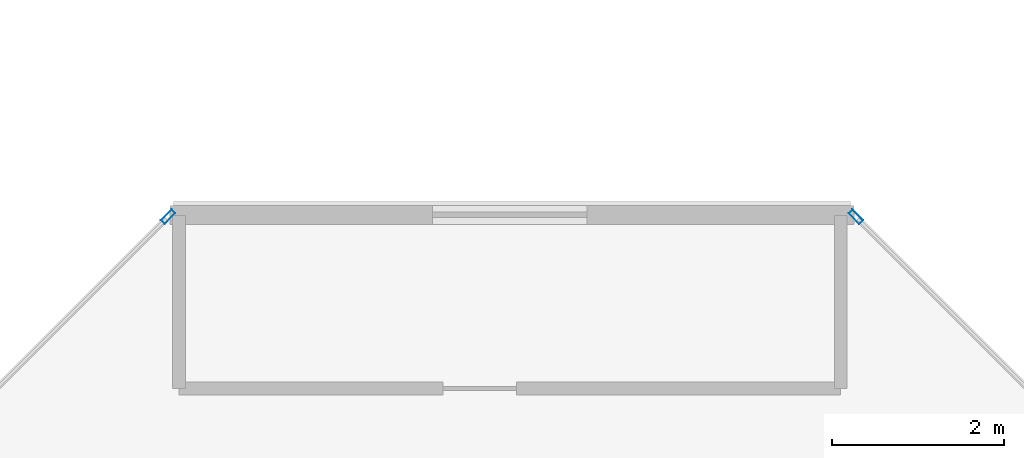
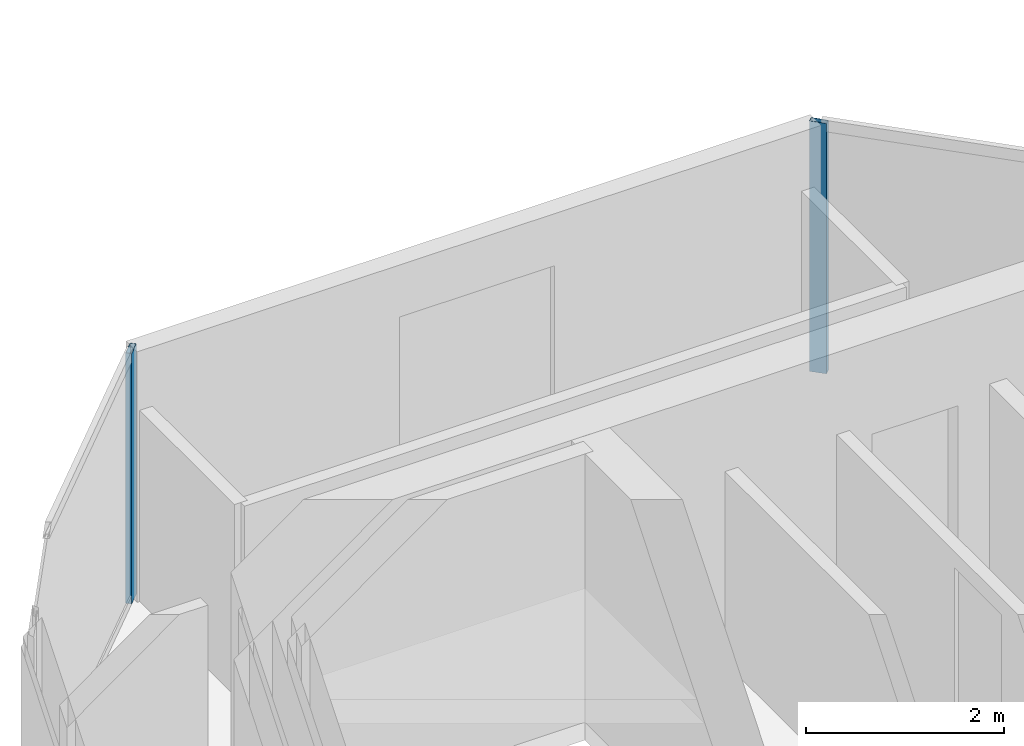
# One storey, part 12 of 29: 2 members, 2 elements without a shape of their own.
"""IFC4 building model written with IfcOpenShell, lengths in metres."""

from ifc_helpers import new_model, si_unit, direction, frame, origin, origin_2d, place, context, subcontext, project, spatial, hollow_rectangle, extrude, material, layer, layer_set, material_profile, profile_set, type_object, element, aggregate, save


model = new_model("IFC4")

# Units and contexts
model_context = context("Model", 3, precision=1e-05, world=origin(), true_north=direction((0.0, 1.0)))
body_context = subcontext(model_context, "Body", "Model", "MODEL_VIEW")
ifc_project = project(units=[si_unit("LENGTHUNIT", "METRE"), si_unit("AREAUNIT", "SQUARE_METRE"), si_unit("VOLUMEUNIT", "CUBIC_METRE"), si_unit("PLANEANGLEUNIT", "RADIAN"), si_unit("MASSUNIT", "GRAM", prefix="KILO")], contexts=[model_context])

# Site, building, storey
site_placement = place(None, origin())
site = spatial("IfcSite", under=ifc_project, at=site_placement, CompositionType="ELEMENT")
building_placement = place(site_placement, origin())
building = spatial("IfcBuilding", under=site, at=building_placement, Name="Tanjung Sevakor Pilgrim Tower", CompositionType="ELEMENT")
storey_placement = place(building_placement, frame((0.0, 0.0, 235.949951171875)))
storey = spatial("IfcBuildingStorey", under=building, at=storey_placement, Name="L66", CompositionType="ELEMENT", Elevation=235.949951171875)

# Curtain wall, member
ifc_material_1 = material(Name="Aluminium 6063-T6 and Low-E Glass", Category="aluminium")
ifc_layer = layer(ifc_material_1, 0.179931640625)
ifc_layer_set = layer_set([ifc_layer], Name="CW-SYS-CHAM")
curtain_wall_type = type_object("IfcCurtainWallType", Name="CW-SYS-CHAM", PredefinedType="NOTDEFINED", material=ifc_layer_set)
curtain_wall_1_placement = place(storey_placement, origin())
curtain_wall_1 = element("IfcCurtainWall", 1, at=curtain_wall_1_placement, inside=storey, type_object=curtain_wall_type, Name="L66 Curtain Wall CW-CHM-L66-WEST-3", PredefinedType="NOTDEFINED")
ifc_material_2 = material(Name="Aluminium 6063-T6", Category="aluminium")
ifc_material_profile = material_profile(ifc_material_2, hollow_rectangle(XDim=0.06494140625, YDim=0.179931640625, WallThickness=0.00390625, at=origin_2d()))
ifc_profile_set = profile_set([ifc_material_profile], Name="Aluminium 6063-T6")
member_type = type_object("IfcMemberType", Name="TYPE-CWM-1", PredefinedType="MULLION", material=ifc_profile_set)
member_1_placement = place(storey_placement, frame((32.827392578125, 46.26708984375, 0.0), z_axis=(0.0, 0.0, 1.0), x_axis=(-0.707106781187, -0.707106781187, 0.0)))
member_1 = element("IfcMember", 2, at=member_1_placement, type_object=member_type, Name="CW-CHM mullion 2", PredefinedType="MULLION", context=body_context, shape_type="SweptSolid", body=[
    extrude(hollow_rectangle(XDim=0.06494140625, YDim=0.179931640625, WallThickness=0.00390625, at=origin_2d()), origin(), (0.0, 0.0, 1.0), 3.080078125),
])
aggregate(curtain_wall_1, [member_1])

curtain_wall_2_placement = place(storey_placement, origin())
curtain_wall_2 = element("IfcCurtainWall", 3, at=curtain_wall_2_placement, inside=storey, type_object=curtain_wall_type, Name="L66 Curtain Wall CW-CHM-L66-WEST-5", PredefinedType="NOTDEFINED")
member_2_placement = place(storey_placement, frame((24.822509765625, 46.26708984375, 0.0), z_axis=(0.0, 0.0, 1.0), x_axis=(0.707106781187, -0.707106781187, 0.0)))
member_2 = element("IfcMember", 4, at=member_2_placement, type_object=member_type, Name="CW-CHM mullion 1", PredefinedType="MULLION", context=body_context, shape_type="SweptSolid", body=[
    extrude(hollow_rectangle(XDim=0.06494140625, YDim=0.179931640625, WallThickness=0.00390625, at=origin_2d()), origin(), (0.0, 0.0, 1.0), 3.080078125),
])
aggregate(curtain_wall_2, [member_2])

save(model, "model.ifc")
